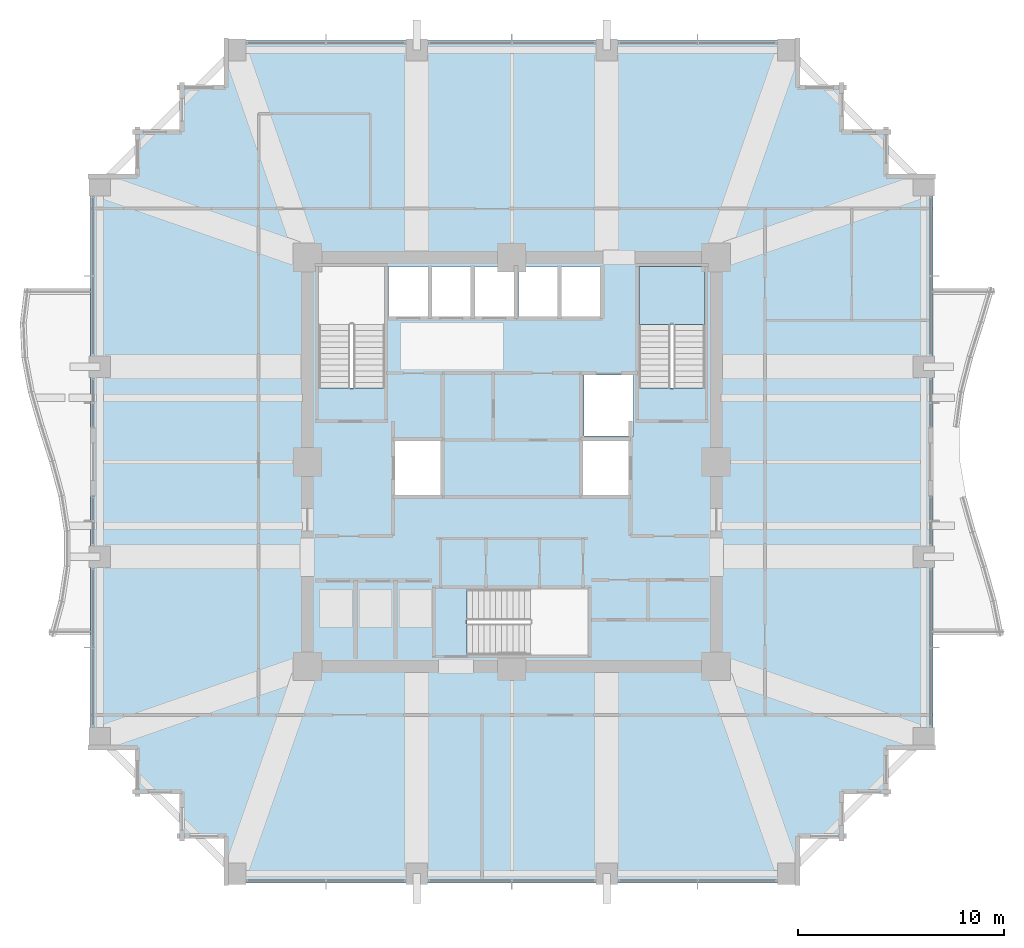
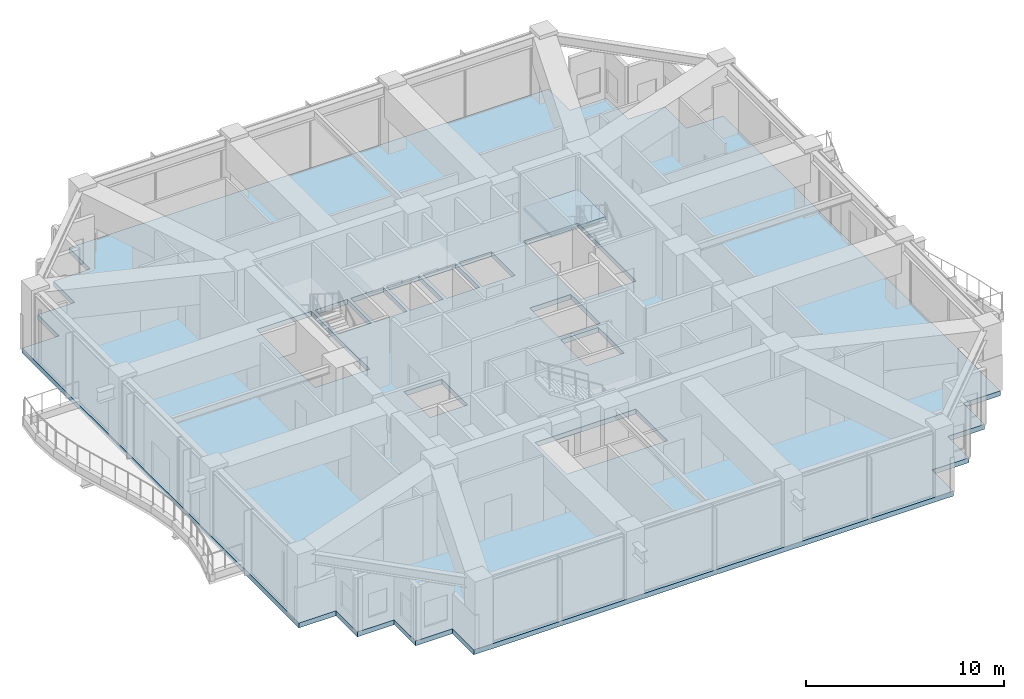
# One storey, part 30 of 40: 2 slabs, 1 element without a shape of its own.
"""IFC4 building model written with IfcOpenShell, lengths in metres."""

from ifc_helpers import new_model, si_unit, direction, frame, origin, place, context, subcontext, project, spatial, polyline, outline, extrude, material, layer, layer_set, type_object, element, aggregate, save


model = new_model("IFC4")

# Units and contexts
model_context = context("Model", 3, precision=1e-05, world=origin(), true_north=direction((0.0, 1.0)))
body_context = subcontext(model_context, "Body", "Model", "MODEL_VIEW")
ifc_project = project(units=[si_unit("LENGTHUNIT", "METRE"), si_unit("AREAUNIT", "SQUARE_METRE"), si_unit("VOLUMEUNIT", "CUBIC_METRE"), si_unit("PLANEANGLEUNIT", "RADIAN"), si_unit("MASSUNIT", "GRAM", prefix="KILO")], contexts=[model_context])

# Site, building, storey
site_placement = place(None, origin())
site = spatial("IfcSite", under=ifc_project, at=site_placement, CompositionType="ELEMENT")
building_placement = place(site_placement, origin())
building = spatial("IfcBuilding", under=site, at=building_placement, Name="Kolvaren Belvedere", CompositionType="ELEMENT")
storey_placement = place(building_placement, frame((0.0, 0.0, 68.0)))
storey = spatial("IfcBuildingStorey", under=building, at=storey_placement, Name="L19", CompositionType="ELEMENT", Elevation=68.0)

# Slab
ifc_material_1 = material(Name="Concrete C50/60", Category="concrete")
ifc_layer_1 = layer(ifc_material_1, 0.300048828125)
ifc_layer_set_1 = layer_set([ifc_layer_1], Name="Concrete C50/60")
slab_type_1 = type_object("IfcSlabType", Name="SL-FLR-300", PredefinedType="FLOOR", material=ifc_layer_set_1)
slab_1_placement = place(storey_placement, frame((0.0, 0.0, -0.300048828125)))
element("IfcSlab", 1, at=slab_1_placement, inside=storey, type_object=slab_type_1, Name="L19 Primary Structural Slab", PredefinedType="FLOOR", context=body_context, shape_type="SweptSolid", body=[
    extrude(outline(polyline([(-13.949951171875, -20.39990234375), (13.949951171875, -20.39990234375), (13.949951171875, -18.25), (16.10009765625, -18.25), (16.10009765625, -16.10009765625), (18.25, -16.10009765625), (18.25, -13.949951171875), (20.39990234375, -13.949951171875), (20.39990234375, 13.949951171875), (18.25, 13.949951171875), (18.25, 16.10009765625), (16.10009765625, 16.10009765625), (16.10009765625, 18.25), (13.949951171875, 18.25), (13.949951171875, 20.39990234375), (-13.949951171875, 20.39990234375), (-13.949951171875, 18.25), (-16.10009765625, 18.25), (-16.10009765625, 16.10009765625), (-18.25, 16.10009765625), (-18.25, 13.949951171875), (-20.39990234375, 13.949951171875), (-20.39990234375, -13.949951171875), (-18.25, -13.949951171875), (-18.25, -16.10009765625), (-16.10009765625, -16.10009765625), (-16.10009765625, -18.25), (-13.949951171875, -18.25), (-13.949951171875, -20.39990234375)]), holes=[polyline([(-9.35009765625, 3.580078125), (-6.159912109375, 3.580078125), (-6.159912109375, 9.449951171875), (-9.35009765625, 9.449951171875), (-9.35009765625, 3.580078125)]), polyline([(6.159912109375, 3.580078125), (9.35009765625, 3.580078125), (9.35009765625, 9.449951171875), (6.159912109375, 9.449951171875), (6.159912109375, 3.580078125)]), polyline([(-2.169921875, -9.35009765625), (3.699951171875, -9.35009765625), (3.699951171875, -6.159912109375), (-2.169921875, -6.159912109375), (-2.169921875, -9.35009765625)]), polyline([(-5.64990234375, -1.60009765625), (-3.449951171875, -1.60009765625), (-3.449951171875, 1.0), (-5.64990234375, 1.0), (-5.64990234375, -1.60009765625)]), polyline([(3.5, 1.25), (5.89990234375, 1.25), (5.89990234375, 4.199951171875), (3.5, 4.199951171875), (3.5, 1.25)]), polyline([(3.449951171875, -1.60009765625), (5.64990234375, -1.60009765625), (5.64990234375, 1.0), (3.449951171875, 1.0), (3.449951171875, -1.60009765625)]), polyline([(-5.9599609375, 7.050048828125), (-4.06005859375, 7.050048828125), (-4.06005859375, 9.449951171875), (-5.9599609375, 9.449951171875), (-5.9599609375, 7.050048828125)]), polyline([(-3.8798828125, 7.050048828125), (-1.97998046875, 7.050048828125), (-1.97998046875, 9.449951171875), (-3.8798828125, 9.449951171875), (-3.8798828125, 7.050048828125)]), polyline([(-1.800048828125, 7.050048828125), (0.10009765625, 7.050048828125), (0.10009765625, 9.449951171875), (-1.800048828125, 9.449951171875), (-1.800048828125, 7.050048828125)]), polyline([(0.320068359375, 7.050048828125), (2.219970703125, 7.050048828125), (2.219970703125, 9.449951171875), (0.320068359375, 9.449951171875), (0.320068359375, 7.050048828125)]), polyline([(2.39990234375, 7.050048828125), (4.300048828125, 7.050048828125), (4.300048828125, 9.449951171875), (2.39990234375, 9.449951171875), (2.39990234375, 7.050048828125)])]), origin(), (0.0, 0.0, 1.0), 0.300048828125),
])

# Stair, slab
ifc_material_2 = material(Name="Concrete C50/60", Category="concrete")
stair_type = type_object("IfcStairType", Name="ST-CORE-1520", PredefinedType="HALF_TURN_STAIR", material=ifc_material_2)
stair_placement = place(storey_placement, origin())
stair = element("IfcStair", 2, at=stair_placement, inside=storey, type_object=stair_type, Name="L19 Protected Exit Stair ST-2", PredefinedType="HALF_TURN_STAIR")
ifc_material_3 = material(Name="Concrete C50/60", Category="concrete")
ifc_layer_2 = layer(ifc_material_3, 0.260009765625)
ifc_layer_set_2 = layer_set([ifc_layer_2], Name="Concrete C50/60")
slab_type_2 = type_object("IfcSlabType", Name="SL-LAND-260", PredefinedType="LANDING", material=ifc_layer_set_2)
slab_2_placement = place(storey_placement, frame((0.0, 0.0, 1.89990234375)))
slab_2 = element("IfcSlab", 3, at=slab_2_placement, type_object=slab_type_2, Name="ST-2 landing 1", PredefinedType="LANDING", context=body_context, shape_type="SweptSolid", body=[
    extrude(outline(polyline([(9.35009765625, 6.64990234375), (9.35009765625, 9.449951171875), (6.159912109375, 9.449951171875), (6.159912109375, 6.64990234375), (9.35009765625, 6.64990234375)])), origin(), (0.0, 0.0, 1.0), 0.2001953125),
])
aggregate(stair, [slab_2])

save(model, "model.ifc")
